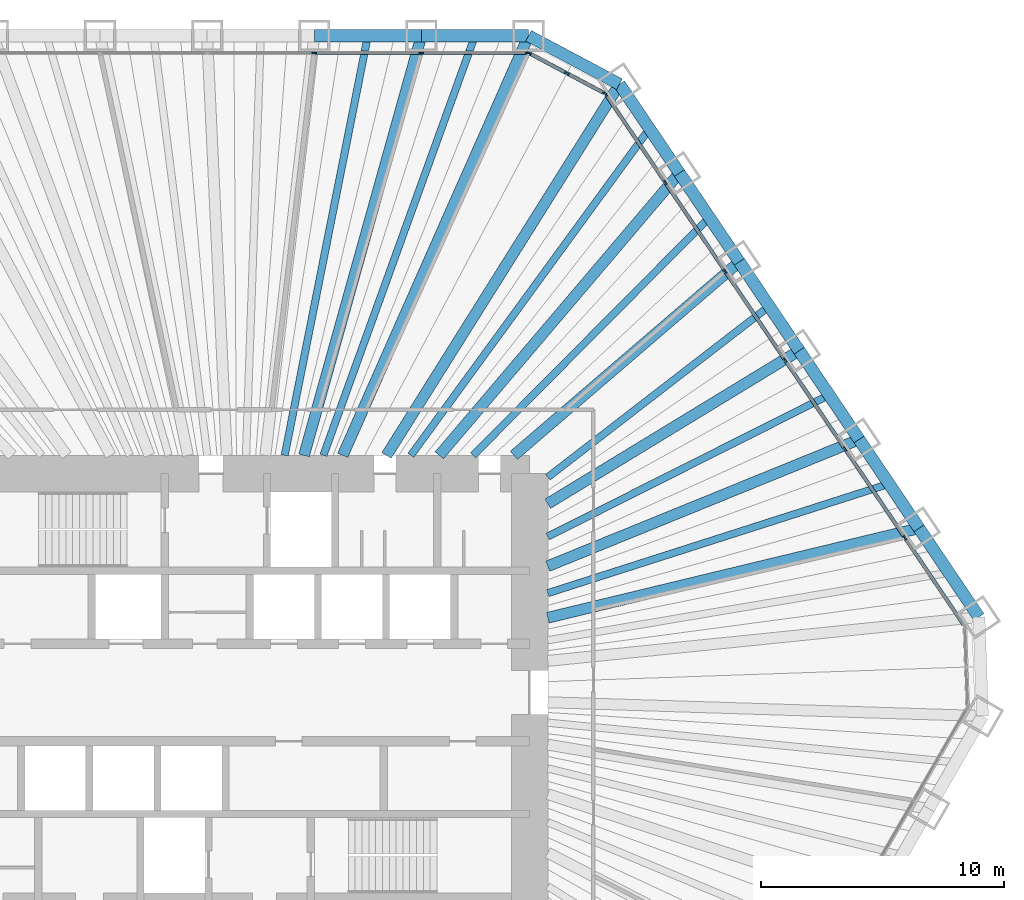
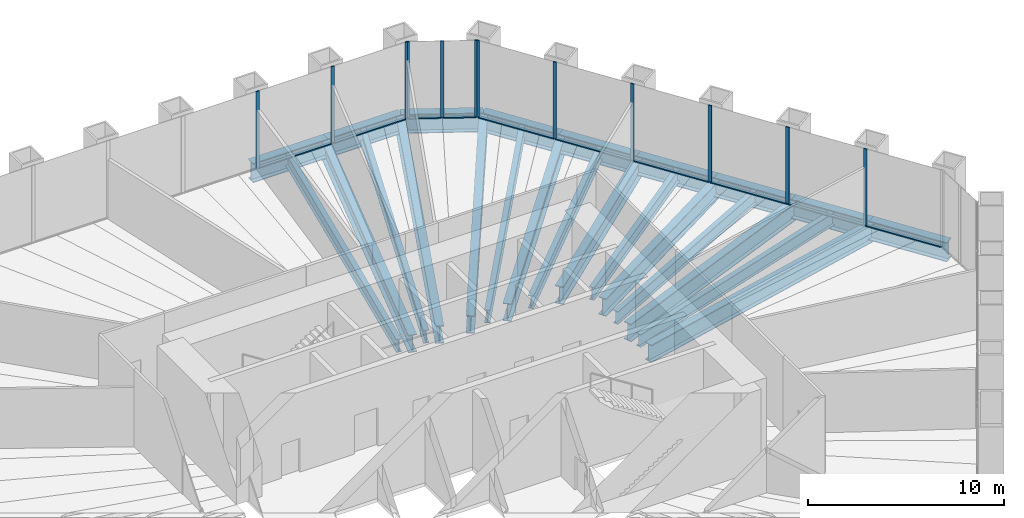
# One storey, part 7 of 13: 24 beams, 22 members, 3 elements without a shape of their own.
"""IFC4 building model written with IfcOpenShell, lengths in metres."""

from ifc_helpers import new_model, si_unit, direction, frame, origin, origin_2d, place, context, subcontext, project, spatial, rectangle, i_section, extrude, material, material_profile, profile_set, type_object, element, aggregate, save


model = new_model("IFC4")

# Units and contexts
model_context = context("Model", 3, precision=1e-05, world=origin(), true_north=direction((0.0, 1.0)))
body_context = subcontext(model_context, "Body", "Model", "MODEL_VIEW")
ifc_project = project(units=[si_unit("LENGTHUNIT", "METRE"), si_unit("AREAUNIT", "SQUARE_METRE"), si_unit("VOLUMEUNIT", "CUBIC_METRE"), si_unit("PLANEANGLEUNIT", "RADIAN"), si_unit("MASSUNIT", "GRAM", prefix="KILO")], contexts=[model_context])

# Site, building, storey
site_placement = place(None, origin())
site = spatial("IfcSite", under=ifc_project, at=site_placement, CompositionType="ELEMENT")
building_placement = place(site_placement, origin())
building = spatial("IfcBuilding", under=site, at=building_placement, Name="Qingtian Harvest Tower", CompositionType="ELEMENT")
storey_placement = place(building_placement, frame((0.0, 0.0, 77.0)))
storey = spatial("IfcBuildingStorey", under=building, at=storey_placement, Name="L15", CompositionType="ELEMENT", Elevation=77.0)

# Beams
ifc_material_1 = material(Name="Steel SM570MC", Category="steel")
ifc_material_profile_1 = material_profile(ifc_material_1, i_section(OverallWidth=0.449951171875, OverallDepth=1.10009765625, WebThickness=0.02197265625, FlangeThickness=0.044921875, at=origin_2d()), Name="H1100x450x22x45")
ifc_profile_set_1 = profile_set([ifc_material_profile_1], Name="Steel SM570MC")
beam_type_1 = type_object("IfcBeamType", Name="Corner floor beam FB8 H1100x450x22x45", PredefinedType="BEAM", material=ifc_profile_set_1)
beam_1_placement = place(storey_placement, frame((11.9560546875, 27.0, -0.75), z_axis=(-0.404898955654, -0.914361436036, 0.0), x_axis=(0.914361436036, -0.404898955654, 0.0)))
element("IfcBeam", 1, at=beam_1_placement, inside=storey, type_object=beam_type_1, Name="Floor beam FB8 N6", PredefinedType="BEAM", context=body_context, shape_type="SweptSolid", body=[
    extrude(i_section(OverallWidth=0.449951171875, OverallDepth=1.10009765625, WebThickness=0.02197265625, FlangeThickness=0.044921875, at=origin_2d()), origin(), (0.0, 0.0, 1.0), 18.86572265625),
])
beam_2_placement = place(storey_placement, frame((15.6982421875, 25.01025390625, -0.75), z_axis=(-0.531622796942, -0.846981228701, 0.0), x_axis=(0.846981228701, -0.531622796942, 0.0)))
element("IfcBeam", 2, at=beam_2_placement, inside=storey, type_object=beam_type_1, Name="Floor beam FB8 NE0", PredefinedType="BEAM", context=body_context, shape_type="SweptSolid", body=[
    extrude(i_section(OverallWidth=0.449951171875, OverallDepth=1.10009765625, WebThickness=0.02197265625, FlangeThickness=0.044921875, at=origin_2d()), origin(), (0.0, 0.0, 1.0), 18.017333984375),
])
ifc_material_2 = material(Name="Steel SM570MC", Category="steel")
ifc_material_profile_2 = material_profile(ifc_material_2, i_section(OverallWidth=0.449951171875, OverallDepth=1.10009765625, WebThickness=0.02197265625, FlangeThickness=0.044921875, at=origin_2d()), Name="H1100x450x22x45")
ifc_profile_set_2 = profile_set([ifc_material_profile_2], Name="Steel SM570MC")
beam_type_2 = type_object("IfcBeamType", Name="Floor beam FB1 H1100x450x22x45", PredefinedType="BEAM", material=ifc_profile_set_2)
beam_3_placement = place(storey_placement, frame((7.551513671875, 27.0, -0.75), z_axis=(-0.269343258019, -0.963044240604, 0.0), x_axis=(0.963044240604, -0.269343258019, 0.0)))
element("IfcBeam", 3, at=beam_3_placement, inside=storey, type_object=beam_type_2, Name="Floor beam FB1 N5", PredefinedType="BEAM", context=body_context, shape_type="SweptSolid", body=[
    extrude(i_section(OverallWidth=0.449951171875, OverallDepth=1.10009765625, WebThickness=0.02197265625, FlangeThickness=0.044921875, at=origin_2d()), origin(), (0.0, 0.0, 1.0), 17.911865234375),
])
beam_4_placement = place(storey_placement, frame((18.1611328125, 21.358642578125, -0.75), z_axis=(-0.647781887327, -0.761825850474, 0.0), x_axis=(0.761825850474, -0.647781887327, 0.0)))
element("IfcBeam", 4, at=beam_4_placement, inside=storey, type_object=beam_type_2, Name="Floor beam FB1 NE1", PredefinedType="BEAM", context=body_context, shape_type="SweptSolid", body=[
    extrude(i_section(OverallWidth=0.449951171875, OverallDepth=1.10009765625, WebThickness=0.02197265625, FlangeThickness=0.044921875, at=origin_2d()), origin(), (0.0, 0.0, 1.0), 15.238037109375),
])
beam_5_placement = place(storey_placement, frame((20.624267578125, 17.70703125, -0.75), z_axis=(-0.75873153072, -0.651403457384, 0.0), x_axis=(0.651403457384, -0.75873153072, 0.0)))
element("IfcBeam", 5, at=beam_5_placement, inside=storey, type_object=beam_type_2, Name="Floor beam FB1 NE2", PredefinedType="BEAM", context=body_context, shape_type="SweptSolid", body=[
    extrude(i_section(OverallWidth=0.449951171875, OverallDepth=1.10009765625, WebThickness=0.02197265625, FlangeThickness=0.044921875, at=origin_2d()), origin(), (0.0, 0.0, 1.0), 12.21533203125),
])
beam_6_placement = place(storey_placement, frame((23.08740234375, 14.0556640625, -0.75), z_axis=(-0.854157261259, -0.520014781558, 0.0), x_axis=(0.520014781558, -0.854157261259, 0.0)))
element("IfcBeam", 6, at=beam_6_placement, inside=storey, type_object=beam_type_2, Name="Floor beam FB1 NE3", PredefinedType="BEAM", context=body_context, shape_type="SweptSolid", body=[
    extrude(i_section(OverallWidth=0.449951171875, OverallDepth=1.10009765625, WebThickness=0.02197265625, FlangeThickness=0.044921875, at=origin_2d()), origin(), (0.0, 0.0, 1.0), 12.1025390625),
])
beam_7_placement = place(storey_placement, frame((25.55029296875, 10.404052734375, -0.75), z_axis=(-0.926156354735, -0.37713977062, 0.0), x_axis=(0.37713977062, -0.926156354735, 0.0)))
element("IfcBeam", 7, at=beam_7_placement, inside=storey, type_object=beam_type_2, Name="Floor beam FB1 NE4", PredefinedType="BEAM", context=body_context, shape_type="SweptSolid", body=[
    extrude(i_section(OverallWidth=0.449951171875, OverallDepth=1.10009765625, WebThickness=0.02197265625, FlangeThickness=0.044921875, at=origin_2d()), origin(), (0.0, 0.0, 1.0), 13.82080078125),
])
beam_8_placement = place(storey_placement, frame((28.013427734375, 6.75244140625, -0.75), z_axis=(-0.972155908389, -0.234334994792, 0.0), x_axis=(0.234334994792, -0.972155908389, 0.0)))
element("IfcBeam", 8, at=beam_8_placement, inside=storey, type_object=beam_type_2, Name="Floor beam FB1 NE5", PredefinedType="BEAM", context=body_context, shape_type="SweptSolid", body=[
    extrude(i_section(OverallWidth=0.449951171875, OverallDepth=1.10009765625, WebThickness=0.02197265625, FlangeThickness=0.044921875, at=origin_2d()), origin(), (0.0, 0.0, 1.0), 15.70068359375),
])
ifc_material_3 = material(Name="Steel SN490B", Category="steel")
ifc_material_profile_3 = material_profile(ifc_material_3, i_section(OverallWidth=0.300048828125, OverallDepth=0.800048828125, WebThickness=0.013916015625, FlangeThickness=0.02587890625, at=origin_2d()), Name="H800x300x14x26")
ifc_profile_set_3 = profile_set([ifc_material_profile_3], Name="Steel SN490B")
beam_type_3 = type_object("IfcBeamType", Name="Floor joist J1 H800x300x14x26", PredefinedType="JOIST", material=ifc_profile_set_3)
beam_9_placement = place(storey_placement, frame((5.349365234375, 27.0, -0.60009765625), z_axis=(-0.19435104803, -0.980932041545, 0.0), x_axis=(0.980932041545, -0.19435104803, 0.0)))
element("IfcBeam", 9, at=beam_9_placement, inside=storey, type_object=beam_type_3, Name="Floor joist J1 N4", PredefinedType="JOIST", context=body_context, shape_type="SweptSolid", body=[
    extrude(i_section(OverallWidth=0.300048828125, OverallDepth=0.800048828125, WebThickness=0.013916015625, FlangeThickness=0.02587890625, at=origin_2d()), origin(), (0.0, 0.0, 1.0), 17.585205078125),
])
beam_10_placement = place(storey_placement, frame((9.75390625, 27.0, -0.60009765625), z_axis=(-0.339766141765, -0.940509951521, 0.0), x_axis=(0.940509951521, -0.339766141765, 0.0)))
element("IfcBeam", 10, at=beam_10_placement, inside=storey, type_object=beam_type_3, Name="Floor joist J1 N5", PredefinedType="JOIST", context=body_context, shape_type="SweptSolid", body=[
    extrude(i_section(OverallWidth=0.300048828125, OverallDepth=0.800048828125, WebThickness=0.013916015625, FlangeThickness=0.02587890625, at=origin_2d()), origin(), (0.0, 0.0, 1.0), 18.341064453125),
])
beam_11_placement = place(storey_placement, frame((16.9296875, 23.1845703125, -0.60009765625), z_axis=(-0.589722175422, -0.80760618857, 0.0), x_axis=(0.80760618857, -0.589722175422, 0.0)))
element("IfcBeam", 11, at=beam_11_placement, inside=storey, type_object=beam_type_3, Name="Floor joist J1 NE0", PredefinedType="JOIST", context=body_context, shape_type="SweptSolid", body=[
    extrude(i_section(OverallWidth=0.300048828125, OverallDepth=0.800048828125, WebThickness=0.013916015625, FlangeThickness=0.02587890625, at=origin_2d()), origin(), (0.0, 0.0, 1.0), 16.635009765625),
])
beam_12_placement = place(storey_placement, frame((19.392822265625, 19.532958984375, -0.60009765625), z_axis=(-0.704560879039, -0.709643549768, 0.0), x_axis=(0.709643549768, -0.704560879039, 0.0)))
element("IfcBeam", 12, at=beam_12_placement, inside=storey, type_object=beam_type_3, Name="Floor joist J1 NE1", PredefinedType="JOIST", context=body_context, shape_type="SweptSolid", body=[
    extrude(i_section(OverallWidth=0.300048828125, OverallDepth=0.800048828125, WebThickness=0.013916015625, FlangeThickness=0.02587890625, at=origin_2d()), origin(), (0.0, 0.0, 1.0), 13.78564453125),
])
beam_13_placement = place(storey_placement, frame((21.855712890625, 15.88134765625, -0.60009765625), z_axis=(-0.79149450594, -0.611176281499, 0.0), x_axis=(0.611176281499, -0.79149450594, 0.0)))
element("IfcBeam", 13, at=beam_13_placement, inside=storey, type_object=beam_type_3, Name="Floor joist J1 NE2", PredefinedType="JOIST", context=body_context, shape_type="SweptSolid", body=[
    extrude(i_section(OverallWidth=0.300048828125, OverallDepth=0.800048828125, WebThickness=0.013916015625, FlangeThickness=0.02587890625, at=origin_2d()), origin(), (0.0, 0.0, 1.0), 11.50439453125),
])
beam_14_placement = place(storey_placement, frame((24.31884765625, 12.229736328125, -0.60009765625), z_axis=(-0.893391632689, -0.449278744924, 0.0), x_axis=(0.449278744924, -0.893391632689, 0.0)))
element("IfcBeam", 14, at=beam_14_placement, inside=storey, type_object=beam_type_3, Name="Floor joist J1 NE3", PredefinedType="JOIST", context=body_context, shape_type="SweptSolid", body=[
    extrude(i_section(OverallWidth=0.300048828125, OverallDepth=0.800048828125, WebThickness=0.013916015625, FlangeThickness=0.02587890625, at=origin_2d()), origin(), (0.0, 0.0, 1.0), 12.949462890625),
])
beam_15_placement = place(storey_placement, frame((26.78173828125, 8.578125, -0.60009765625), z_axis=(-0.952340804978, -0.305036048976, 0.0), x_axis=(0.305036048976, -0.952340804978, 0.0)))
element("IfcBeam", 15, at=beam_15_placement, inside=storey, type_object=beam_type_3, Name="Floor joist J1 NE4", PredefinedType="JOIST", context=body_context, shape_type="SweptSolid", body=[
    extrude(i_section(OverallWidth=0.300048828125, OverallDepth=0.800048828125, WebThickness=0.013916015625, FlangeThickness=0.02587890625, at=origin_2d()), origin(), (0.0, 0.0, 1.0), 14.73388671875),
])

# Curtain wall, members
ifc_material_4 = material(Name="Bronze-anodised aluminium curtain wall", Category="aluminium")
curtain_wall_type = type_object("IfcCurtainWallType", Name="Curtain wall CW2 farm reception", PredefinedType="USERDEFINED", material=ifc_material_4)
curtain_wall_1_placement = place(storey_placement, origin())
curtain_wall_1 = element("IfcCurtainWall", 16, at=curtain_wall_1_placement, inside=storey, type_object=curtain_wall_type, Name="Curtain wall CW2 L15 N0-5", ObjectType="RECESSED CURTAIN WALL", PredefinedType="USERDEFINED")
ifc_material_5 = material(Name="Bronze-anodised aluminium mullion", Category="aluminium")
ifc_material_profile_4 = material_profile(ifc_material_5, rectangle(XDim=0.06494140625, YDim=0.199951171875, at=origin_2d()), Name="AL 65x200")
ifc_profile_set_4 = profile_set([ifc_material_profile_4], Name="Bronze-anodised aluminium mullion")
member_type_1 = type_object("IfcMemberType", Name="Mullion CWM 65x200", PredefinedType="MULLION", material=ifc_profile_set_4)
member_1_placement = place(storey_placement, frame((3.14697265625, 26.300048828125, 0.0), z_axis=(0.0, 0.0, 1.0), x_axis=(0.0, 1.0, 0.0)))
member_1 = element("IfcMember", 17, at=member_1_placement, type_object=member_type_1, Name="CW2 mullion 5", PredefinedType="MULLION", context=body_context, shape_type="SweptSolid", body=[
    extrude(rectangle(XDim=0.06494140625, YDim=0.199951171875, at=origin_2d()), origin(), (0.0, 0.0, 1.0), 4.800048828125),
])
member_2_placement = place(storey_placement, frame((7.551513671875, 26.300048828125, 0.0), z_axis=(0.0, 0.0, 1.0), x_axis=(0.0, 1.0, 0.0)))
member_2 = element("IfcMember", 18, at=member_2_placement, type_object=member_type_1, Name="CW2 mullion 6", PredefinedType="MULLION", context=body_context, shape_type="SweptSolid", body=[
    extrude(rectangle(XDim=0.06494140625, YDim=0.199951171875, at=origin_2d()), origin(), (0.0, 0.0, 1.0), 4.800048828125),
])
member_3_placement = place(storey_placement, frame((11.923583984375, 26.300048828125, 0.0), z_axis=(0.0, 0.0, 1.0), x_axis=(0.0, 1.0, 0.0)))
member_3 = element("IfcMember", 19, at=member_3_placement, type_object=member_type_1, Name="CW2 mullion 7", PredefinedType="MULLION", context=body_context, shape_type="SweptSolid", body=[
    extrude(rectangle(XDim=0.06494140625, YDim=0.199951171875, at=origin_2d()), origin(), (0.0, 0.0, 1.0), 4.800048828125),
])

curtain_wall_2_placement = place(storey_placement, origin())
curtain_wall_2 = element("IfcCurtainWall", 20, at=curtain_wall_2_placement, inside=storey, type_object=curtain_wall_type, Name="Curtain wall CW2 L15 NC", ObjectType="RECESSED CURTAIN WALL", PredefinedType="USERDEFINED")
member_4_placement = place(storey_placement, frame((11.98486328125, 26.28466796875, 0.0), z_axis=(0.0, 0.0, 1.0), x_axis=(0.469471562786, 0.882947592859, 0.0)))
member_4 = element("IfcMember", 21, at=member_4_placement, type_object=member_type_1, Name="CW2 mullion 1", PredefinedType="MULLION", context=body_context, shape_type="SweptSolid", body=[
    extrude(rectangle(XDim=0.06494140625, YDim=0.199951171875, at=origin_2d()), origin(), (0.0, 0.0, 1.0), 4.800048828125),
])
member_5_placement = place(storey_placement, frame((13.537109375, 25.45947265625, 0.0), z_axis=(0.0, 0.0, 1.0), x_axis=(0.469471562786, 0.882947592859, 0.0)))
member_5 = element("IfcMember", 22, at=member_5_placement, type_object=member_type_1, Name="CW2 mullion 2", PredefinedType="MULLION", context=body_context, shape_type="SweptSolid", body=[
    extrude(rectangle(XDim=0.06494140625, YDim=0.199951171875, at=origin_2d()), origin(), (0.0, 0.0, 1.0), 4.800048828125),
])
member_6_placement = place(storey_placement, frame((15.089111328125, 24.634033203125, 0.0), z_axis=(0.0, 0.0, 1.0), x_axis=(0.469471562786, 0.882947592859, 0.0)))
member_6 = element("IfcMember", 23, at=member_6_placement, type_object=member_type_1, Name="CW2 mullion 3", PredefinedType="MULLION", context=body_context, shape_type="SweptSolid", body=[
    extrude(rectangle(XDim=0.06494140625, YDim=0.199951171875, at=origin_2d()), origin(), (0.0, 0.0, 1.0), 4.800048828125),
])

curtain_wall_3_placement = place(storey_placement, origin())
curtain_wall_3 = element("IfcCurtainWall", 24, at=curtain_wall_3_placement, inside=storey, type_object=curtain_wall_type, Name="Curtain wall CW2 L15 NE0-5", ObjectType="RECESSED CURTAIN WALL", PredefinedType="USERDEFINED")
member_7_placement = place(storey_placement, frame((15.135986328125, 24.592041015625, 0.0), z_axis=(0.0, 0.0, 1.0), x_axis=(0.829037572555, 0.559192903471, 0.0)))
member_7 = element("IfcMember", 25, at=member_7_placement, type_object=member_type_1, Name="CW2 mullion 1", PredefinedType="MULLION", context=body_context, shape_type="SweptSolid", body=[
    extrude(rectangle(XDim=0.06494140625, YDim=0.199951171875, at=origin_2d()), origin(), (0.0, 0.0, 1.0), 4.800048828125),
])
member_8_placement = place(storey_placement, frame((17.580810546875, 20.96728515625, 0.0), z_axis=(0.0, 0.0, 1.0), x_axis=(0.829037572555, 0.559192903471, 0.0)))
member_8 = element("IfcMember", 26, at=member_8_placement, type_object=member_type_1, Name="CW2 mullion 2", PredefinedType="MULLION", context=body_context, shape_type="SweptSolid", body=[
    extrude(rectangle(XDim=0.06494140625, YDim=0.199951171875, at=origin_2d()), origin(), (0.0, 0.0, 1.0), 4.800048828125),
])
member_9_placement = place(storey_placement, frame((20.0439453125, 17.315673828125, 0.0), z_axis=(0.0, 0.0, 1.0), x_axis=(0.829037572555, 0.559192903471, 0.0)))
member_9 = element("IfcMember", 27, at=member_9_placement, type_object=member_type_1, Name="CW2 mullion 3", PredefinedType="MULLION", context=body_context, shape_type="SweptSolid", body=[
    extrude(rectangle(XDim=0.06494140625, YDim=0.199951171875, at=origin_2d()), origin(), (0.0, 0.0, 1.0), 4.800048828125),
])
member_10_placement = place(storey_placement, frame((22.507080078125, 13.6640625, 0.0), z_axis=(0.0, 0.0, 1.0), x_axis=(0.829037572555, 0.559192903471, 0.0)))
member_10 = element("IfcMember", 28, at=member_10_placement, type_object=member_type_1, Name="CW2 mullion 4", PredefinedType="MULLION", context=body_context, shape_type="SweptSolid", body=[
    extrude(rectangle(XDim=0.06494140625, YDim=0.199951171875, at=origin_2d()), origin(), (0.0, 0.0, 1.0), 4.800048828125),
])
member_11_placement = place(storey_placement, frame((24.969970703125, 10.012451171875, 0.0), z_axis=(0.0, 0.0, 1.0), x_axis=(0.829037572555, 0.559192903471, 0.0)))
member_11 = element("IfcMember", 29, at=member_11_placement, type_object=member_type_1, Name="CW2 mullion 5", PredefinedType="MULLION", context=body_context, shape_type="SweptSolid", body=[
    extrude(rectangle(XDim=0.06494140625, YDim=0.199951171875, at=origin_2d()), origin(), (0.0, 0.0, 1.0), 4.800048828125),
])
member_12_placement = place(storey_placement, frame((27.43310546875, 6.36083984375, 0.0), z_axis=(0.0, 0.0, 1.0), x_axis=(0.829037572555, 0.559192903471, 0.0)))
member_12 = element("IfcMember", 30, at=member_12_placement, type_object=member_type_1, Name="CW2 mullion 6", PredefinedType="MULLION", context=body_context, shape_type="SweptSolid", body=[
    extrude(rectangle(XDim=0.06494140625, YDim=0.199951171875, at=origin_2d()), origin(), (0.0, 0.0, 1.0), 4.800048828125),
])

# Beams
ifc_material_6 = material(Name="Steel SM570MC", Category="steel")
ifc_material_profile_5 = material_profile(ifc_material_6, i_section(OverallWidth=0.5, OverallDepth=1.199951171875, WebThickness=0.02490234375, FlangeThickness=0.050048828125, at=origin_2d()), Name="H1200x500x25x50")
ifc_profile_set_5 = profile_set([ifc_material_profile_5], Name="Steel SM570MC")
beam_type_4 = type_object("IfcBeamType", Name="Spandrel beam SB1 H1200x500x25x50", PredefinedType="SPANDREL", material=ifc_profile_set_5)
for number, where, z_axis, x_axis, name in (
    (31, (3.14697265625, 27.0, -0.60009765625), (1.0, 0.0, 0.0), (0.0, 1.0, 0.0), "Spandrel SB1 N4"),
    (32, (7.551513671875, 27.0, -0.60009765625), (1.0, 0.0, 0.0), (0.0, 1.0, 0.0), "Spandrel SB1 N5"),
):
    element("IfcBeam", number, at=place(storey_placement, frame(where, z_axis=z_axis, x_axis=x_axis)), inside=storey, type_object=beam_type_4, Name=name, PredefinedType="SPANDREL", context=body_context, shape_type="SweptSolid", body=[
        extrude(i_section(OverallWidth=0.5, OverallDepth=1.199951171875, WebThickness=0.02490234375, FlangeThickness=0.050048828125, at=origin_2d()), origin(), (0.0, 0.0, 1.0), 4.404541015625),
    ])
beam_16_placement = place(storey_placement, frame((11.9560546875, 27.0, -0.60009765625), z_axis=(0.882948599748, -0.469469669099, 0.0), x_axis=(0.469469669099, 0.882948599748, 0.0)))
element("IfcBeam", 33, at=beam_16_placement, inside=storey, type_object=beam_type_4, Name="Spandrel SB1 NC", PredefinedType="SPANDREL", context=body_context, shape_type="SweptSolid", body=[
    extrude(i_section(OverallWidth=0.5, OverallDepth=1.199951171875, WebThickness=0.02490234375, FlangeThickness=0.050048828125, at=origin_2d()), origin(), (0.0, 0.0, 1.0), 4.23828125),
])
beam_17_placement = place(storey_placement, frame((15.6982421875, 25.01025390625, -0.60009765625), z_axis=(0.559169135272, -0.829053603912, 0.0), x_axis=(0.829053603912, 0.559169135272, 0.0)))
element("IfcBeam", 34, at=beam_17_placement, inside=storey, type_object=beam_type_4, Name="Spandrel SB1 NE0", PredefinedType="SPANDREL", context=body_context, shape_type="SweptSolid", body=[
    extrude(i_section(OverallWidth=0.5, OverallDepth=1.199951171875, WebThickness=0.02490234375, FlangeThickness=0.050048828125, at=origin_2d()), origin(), (0.0, 0.0, 1.0), 4.404541015625),
])
beam_18_placement = place(storey_placement, frame((18.1611328125, 21.358642578125, -0.60009765625), z_axis=(0.559207231603, -0.829027907928, 0.0), x_axis=(0.829027907928, 0.559207231603, 0.0)))
element("IfcBeam", 35, at=beam_18_placement, inside=storey, type_object=beam_type_4, Name="Spandrel SB1 NE1", PredefinedType="SPANDREL", context=body_context, shape_type="SweptSolid", body=[
    extrude(i_section(OverallWidth=0.5, OverallDepth=1.199951171875, WebThickness=0.02490234375, FlangeThickness=0.050048828125, at=origin_2d()), origin(), (0.0, 0.0, 1.0), 4.40478515625),
])
for number, where, z_axis, x_axis, name in (
    (36, (20.624267578125, 17.70703125, -0.60009765625), (0.559232928578, -0.829010573874, 0.0), (0.829010573874, 0.559232928578, 0.0), "Spandrel SB1 NE2"),
    (37, (23.08740234375, 14.0556640625, -0.60009765625), (0.559169135272, -0.829053603912, 0.0), (0.829053603912, 0.559169135272, 0.0), "Spandrel SB1 NE3"),
):
    element("IfcBeam", number, at=place(storey_placement, frame(where, z_axis=z_axis, x_axis=x_axis)), inside=storey, type_object=beam_type_4, Name=name, PredefinedType="SPANDREL", context=body_context, shape_type="SweptSolid", body=[
        extrude(i_section(OverallWidth=0.5, OverallDepth=1.199951171875, WebThickness=0.02490234375, FlangeThickness=0.050048828125, at=origin_2d()), origin(), (0.0, 0.0, 1.0), 4.404541015625),
    ])
beam_19_placement = place(storey_placement, frame((25.55029296875, 10.404052734375, -0.60009765625), z_axis=(0.559207231603, -0.829027907928, 0.0), x_axis=(0.829027907928, 0.559207231603, 0.0)))
element("IfcBeam", 38, at=beam_19_placement, inside=storey, type_object=beam_type_4, Name="Spandrel SB1 NE4", PredefinedType="SPANDREL", context=body_context, shape_type="SweptSolid", body=[
    extrude(i_section(OverallWidth=0.5, OverallDepth=1.199951171875, WebThickness=0.02490234375, FlangeThickness=0.050048828125, at=origin_2d()), origin(), (0.0, 0.0, 1.0), 4.40478515625),
])
beam_20_placement = place(storey_placement, frame((28.013427734375, 6.75244140625, -0.60009765625), z_axis=(0.559169135272, -0.829053603912, 0.0), x_axis=(0.829053603912, 0.559169135272, 0.0)))
element("IfcBeam", 39, at=beam_20_placement, inside=storey, type_object=beam_type_4, Name="Spandrel SB1 NE5", PredefinedType="SPANDREL", context=body_context, shape_type="SweptSolid", body=[
    extrude(i_section(OverallWidth=0.5, OverallDepth=1.199951171875, WebThickness=0.02490234375, FlangeThickness=0.050048828125, at=origin_2d()), origin(), (0.0, 0.0, 1.0), 4.404541015625),
])

# Member
ifc_material_7 = material(Name="Bronze-anodised aluminium transom", Category="aluminium")
ifc_material_profile_6 = material_profile(ifc_material_7, rectangle(XDim=0.14990234375, YDim=0.06494140625, at=origin_2d()), Name="AL 65x150")
ifc_profile_set_6 = profile_set([ifc_material_profile_6], Name="Bronze-anodised aluminium transom")
member_type_2 = type_object("IfcMemberType", Name="Transom CWT 65x150", PredefinedType="USERDEFINED", material=ifc_profile_set_6)
member_13_placement = place(storey_placement, frame((3.179443359375, 26.300048828125, 0.032470703125), z_axis=(1.0, 0.0, 0.0), x_axis=(0.0, 1.0, 0.0)))
member_13 = element("IfcMember", 40, at=member_13_placement, type_object=member_type_2, Name="CW2 transom 5.1", ObjectType="TRANSOM", PredefinedType="USERDEFINED", context=body_context, shape_type="SweptSolid", body=[
    extrude(rectangle(XDim=0.14990234375, YDim=0.06494140625, at=origin_2d()), origin(), (0.0, 0.0, 1.0), 4.339599609375),
])

member_14_placement = place(storey_placement, frame((7.583984375, 26.300048828125, 0.032470703125), z_axis=(1.0, 0.0, 0.0), x_axis=(0.0, 1.0, 0.0)))
member_14 = element("IfcMember", 41, at=member_14_placement, type_object=member_type_2, Name="CW2 transom 6.1", ObjectType="TRANSOM", PredefinedType="USERDEFINED", context=body_context, shape_type="SweptSolid", body=[
    extrude(rectangle(XDim=0.14990234375, YDim=0.06494140625, at=origin_2d()), origin(), (0.0, 0.0, 1.0), 4.30712890625),
])

aggregate(curtain_wall_1, [member_1, member_2, member_3, member_13, member_14])

member_15_placement = place(storey_placement, frame((12.013427734375, 26.26953125, 0.032470703125), z_axis=(0.882927080927, -0.469510138086, 0.0), x_axis=(0.469510138086, 0.882927080927, 0.0)))
member_15 = element("IfcMember", 42, at=member_15_placement, type_object=member_type_2, Name="CW2 transom 1.1", ObjectType="TRANSOM", PredefinedType="USERDEFINED", context=body_context, shape_type="SweptSolid", body=[
    extrude(rectangle(XDim=0.14990234375, YDim=0.06494140625, at=origin_2d()), origin(), (0.0, 0.0, 1.0), 1.693115234375),
])

member_16_placement = place(storey_placement, frame((13.565673828125, 25.444091796875, 0.032470703125), z_axis=(0.882986854304, -0.469397715297, 0.0), x_axis=(0.469397715297, 0.882986854304, 0.0)))
member_16 = element("IfcMember", 43, at=member_16_placement, type_object=member_type_2, Name="CW2 transom 2.1", ObjectType="TRANSOM", PredefinedType="USERDEFINED", context=body_context, shape_type="SweptSolid", body=[
    extrude(rectangle(XDim=0.14990234375, YDim=0.06494140625, at=origin_2d()), origin(), (0.0, 0.0, 1.0), 1.69287109375),
])

aggregate(curtain_wall_2, [member_4, member_5, member_6, member_15, member_16])

member_17_placement = place(storey_placement, frame((15.154296875, 24.56494140625, 0.032470703125), z_axis=(0.559178817275, -0.82904707364, 0.0), x_axis=(0.82904707364, 0.559178817275, 0.0)))
member_17 = element("IfcMember", 44, at=member_17_placement, type_object=member_type_2, Name="CW2 transom 1.1", ObjectType="TRANSOM", PredefinedType="USERDEFINED", context=body_context, shape_type="SweptSolid", body=[
    extrude(rectangle(XDim=0.14990234375, YDim=0.06494140625, at=origin_2d()), origin(), (0.0, 0.0, 1.0), 4.30712890625),
])

member_18_placement = place(storey_placement, frame((17.59912109375, 20.9404296875, 0.032470703125), z_axis=(0.559210013199, -0.82902603164, 0.0), x_axis=(0.82902603164, 0.559210013199, 0.0)))
member_18 = element("IfcMember", 45, at=member_18_placement, type_object=member_type_2, Name="CW2 transom 2.1", ObjectType="TRANSOM", PredefinedType="USERDEFINED", context=body_context, shape_type="SweptSolid", body=[
    extrude(rectangle(XDim=0.14990234375, YDim=0.06494140625, at=origin_2d()), origin(), (0.0, 0.0, 1.0), 4.339599609375),
])

member_19_placement = place(storey_placement, frame((20.06201171875, 17.288818359375, 0.032470703125), z_axis=(0.559210013199, -0.82902603164, 0.0), x_axis=(0.82902603164, 0.559210013199, 0.0)))
member_19 = element("IfcMember", 46, at=member_19_placement, type_object=member_type_2, Name="CW2 transom 3.1", ObjectType="TRANSOM", PredefinedType="USERDEFINED", context=body_context, shape_type="SweptSolid", body=[
    extrude(rectangle(XDim=0.14990234375, YDim=0.06494140625, at=origin_2d()), origin(), (0.0, 0.0, 1.0), 4.339599609375),
])

member_20_placement = place(storey_placement, frame((22.525146484375, 13.63720703125, 0.032470703125), z_axis=(0.559210013199, -0.82902603164, 0.0), x_axis=(0.82902603164, 0.559210013199, 0.0)))
member_20 = element("IfcMember", 47, at=member_20_placement, type_object=member_type_2, Name="CW2 transom 4.1", ObjectType="TRANSOM", PredefinedType="USERDEFINED", context=body_context, shape_type="SweptSolid", body=[
    extrude(rectangle(XDim=0.14990234375, YDim=0.06494140625, at=origin_2d()), origin(), (0.0, 0.0, 1.0), 4.339599609375),
])

member_21_placement = place(storey_placement, frame((24.98828125, 9.985595703125, 0.032470703125), z_axis=(0.559171345763, -0.829052113005, 0.0), x_axis=(0.829052113005, 0.559171345763, 0.0)))
member_21 = element("IfcMember", 48, at=member_21_placement, type_object=member_type_2, Name="CW2 transom 5.1", ObjectType="TRANSOM", PredefinedType="USERDEFINED", context=body_context, shape_type="SweptSolid", body=[
    extrude(rectangle(XDim=0.14990234375, YDim=0.06494140625, at=origin_2d()), origin(), (0.0, 0.0, 1.0), 4.339599609375),
])

member_22_placement = place(storey_placement, frame((27.451171875, 6.333984375, 0.032470703125), z_axis=(0.559178817275, -0.82904707364, 0.0), x_axis=(0.82904707364, 0.559178817275, 0.0)))
member_22 = element("IfcMember", 49, at=member_22_placement, type_object=member_type_2, Name="CW2 transom 6.1", ObjectType="TRANSOM", PredefinedType="USERDEFINED", context=body_context, shape_type="SweptSolid", body=[
    extrude(rectangle(XDim=0.14990234375, YDim=0.06494140625, at=origin_2d()), origin(), (0.0, 0.0, 1.0), 4.30712890625),
])

aggregate(curtain_wall_3, [member_7, member_8, member_9, member_10, member_11, member_12, member_17, member_18, member_19, member_20, member_21, member_22])

save(model, "model.ifc")
